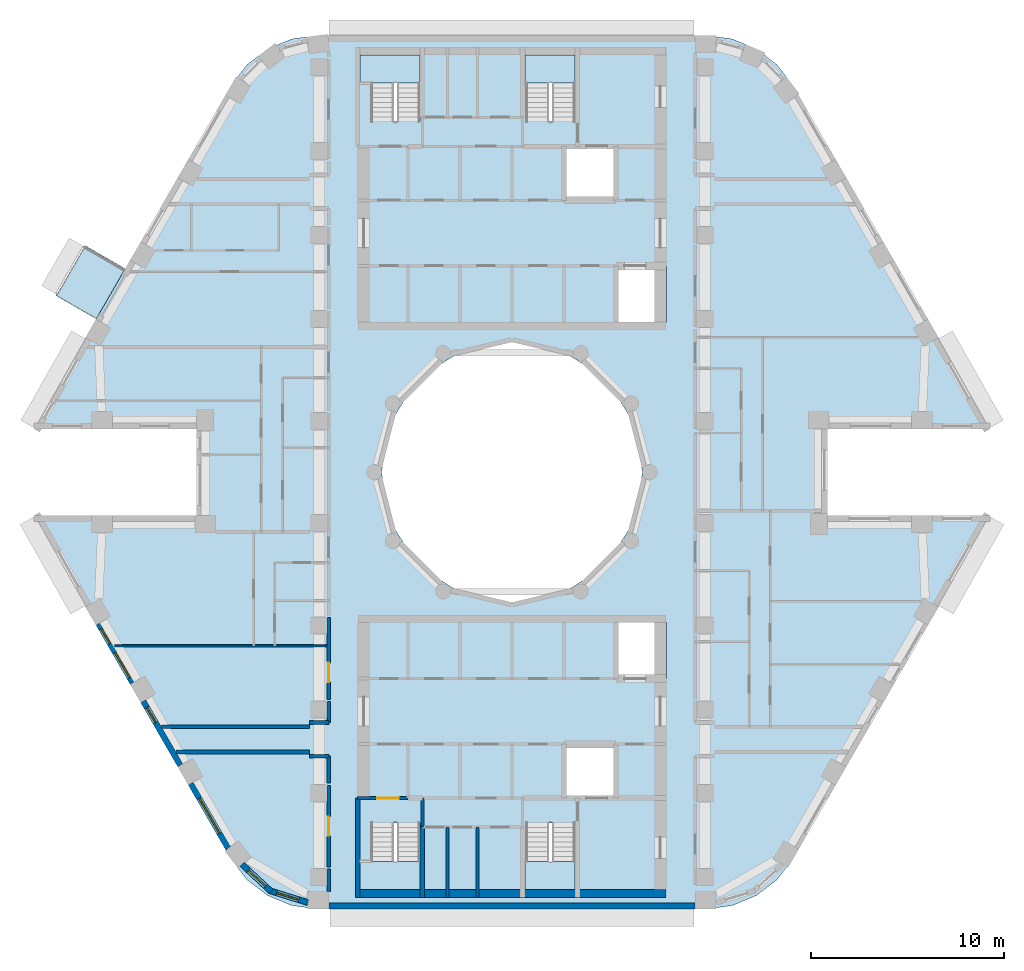
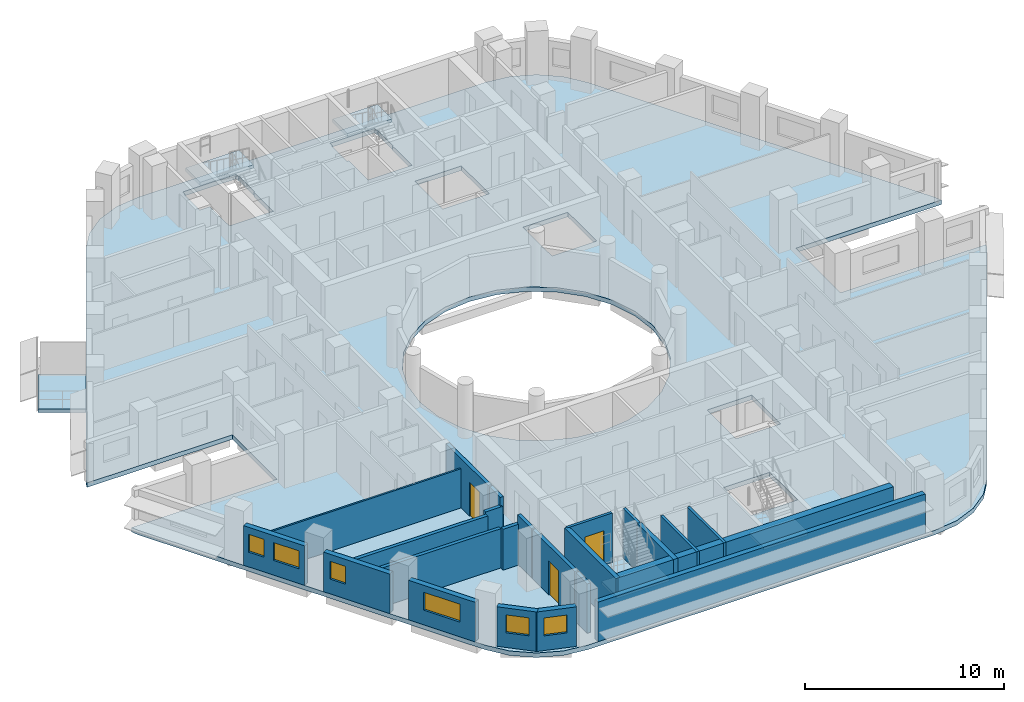
# One storey, part 2 of 13: 23 walls, 6 slabs, 6 windows, 3 doors, 9 openings, 4 elements without a shape of their own.
"""IFC4 building model written with IfcOpenShell, lengths in metres."""

import ifcopenshell
import ifcopenshell.guid

model = None  # the IFC model being written
_history = None  # IfcOwnerHistory: only IFC2X3 demands one
_inside = {}  # id of a spatial element -> (the spatial element, [elements in it])
_under = {}  # id of a project, library or spatial element -> (it, [spatial elements below it])
_declared = {}  # id of a project -> (the project, [libraries it declares])
_typed = {}  # id of a type object -> (the type object, [elements of that type])
_made_of = {}  # id of a material, layer set ... -> (it, [elements and type objects made of it])


def new_model(schema):
    """Start an empty IFC model of exactly this schema.

    Asked for "IFC4X3", IfcOpenShell would pick the latest addendum, in which some entities
    have other attributes; the version numbers below select the first issue.
    IFC2X3 requires an IfcOwnerHistory on every rooted entity: one is made here for all.
    """
    global model, _history
    if schema == "IFC4X3":
        model = ifcopenshell.file(schema_version=(4, 3, 0, 0))
    else:
        model = ifcopenshell.file(schema=schema)
    _inside.clear()
    _under.clear()
    _declared.clear()
    _typed.clear()
    _made_of.clear()
    _history = None
    if model.schema == "IFC2X3":
        org = make("IfcOrganization", Name="unknown")
        user = make(
            "IfcPersonAndOrganization",
            ThePerson=make("IfcPerson", FamilyName="unknown"),
            TheOrganization=org,
        )
        app = make(
            "IfcApplication",
            ApplicationDeveloper=org,
            Version="unknown",
            ApplicationFullName="unknown",
            ApplicationIdentifier="unknown",
        )
        _history = make(
            "IfcOwnerHistory",
            OwningUser=user,
            OwningApplication=app,
            ChangeAction="ADDED",
            CreationDate=0,
        )
    return model


def make(cls, **values):
    """One entity of the class cls with the attributes given. An attribute that is None is left unset."""
    return model.create_entity(
        cls, **{name: value for name, value in values.items() if value is not None}
    )


def rooted(cls, **values):
    """An entity with a GlobalId (a new one), such as an element, a storey or a relation."""
    return make(cls, GlobalId=ifcopenshell.guid.new(), OwnerHistory=_history, **values)


def si_unit(unit_type, name, prefix=None):
    """IfcSIUnit, for example si_unit("LENGTHUNIT", "METRE", prefix="MILLI")."""
    return make("IfcSIUnit", UnitType=unit_type, Prefix=prefix, Name=name)


def assignment(units):
    """IfcUnitAssignment: the units of a project."""
    return None if units is None else make("IfcUnitAssignment", Units=units)


def point(xyz):
    """IfcCartesianPoint."""
    return None if xyz is None else make("IfcCartesianPoint", Coordinates=xyz)


def direction(xyz):
    """IfcDirection."""
    return None if xyz is None else make("IfcDirection", DirectionRatios=xyz)


def frame(location, z_axis=None, x_axis=None):
    """IfcAxis2Placement3D, a coordinate frame: its origin and axes. An axis left out is left unset."""
    return make(
        "IfcAxis2Placement3D",
        Location=point(location),
        Axis=direction(z_axis),
        RefDirection=direction(x_axis),
    )


def frame_2d(location, x_axis=None):
    """IfcAxis2Placement2D, a coordinate frame in the plane: its origin and x axis."""
    return make(
        "IfcAxis2Placement2D", Location=point(location), RefDirection=direction(x_axis)
    )


def origin():
    """The frame at (0, 0, 0) with its axes left unset."""
    return frame((0.0, 0.0, 0.0))


def place(relative_to, where):
    """IfcLocalPlacement: puts the frame where relative to a parent placement (None: the world)."""
    return make(
        "IfcLocalPlacement", PlacementRelTo=relative_to, RelativePlacement=where
    )


def context(
    kind, dimensions, precision=None, world=None, true_north=None, identifier=None
):
    """IfcGeometricRepresentationContext, for example the 3D "Model" context."""
    return make(
        "IfcGeometricRepresentationContext",
        ContextIdentifier=identifier,
        ContextType=kind,
        CoordinateSpaceDimension=dimensions,
        Precision=precision,
        WorldCoordinateSystem=world,
        TrueNorth=true_north,
    )


def subcontext(parent, identifier, kind, view, scale=None):
    """IfcGeometricRepresentationSubContext, for example "Body" below "Model"."""
    return make(
        "IfcGeometricRepresentationSubContext",
        ContextIdentifier=identifier,
        ContextType=kind,
        ParentContext=parent,
        TargetScale=scale,
        TargetView=view,
    )


def project(units=None, contexts=None):
    """IfcProject with its units and contexts."""
    return rooted(
        "IfcProject",
        Name="project",
        RepresentationContexts=contexts,
        UnitsInContext=assignment(units),
    )


def spatial(cls, under=None, at=None, **own):
    """A site, building, storey or space (cls), placed at a placement, below another one or the project."""
    s = rooted(cls, ObjectPlacement=at, **own)
    if under is not None:
        _under.setdefault(under.id(), (under, []))[1].append(s)
    return s


def polyline(points):
    """IfcPolyline through the points."""
    return make("IfcPolyline", Points=[point(p) for p in points])


def profile(cls, at=None, kind="AREA", **sizes):
    """A parametric profile (cls). Its sizes go by their IFC names, for example OverallWidth=200.0."""
    return make(cls, ProfileType=kind, Position=at, **sizes)


def rectangle(**sizes):
    """IfcRectangleProfileDef."""
    return profile("IfcRectangleProfileDef", **sizes)


def outline(outer, holes=None, kind="AREA"):
    """IfcArbitraryClosedProfileDef: a profile drawn as a closed curve; with holes, ...WithVoids."""
    if holes is None:
        return make("IfcArbitraryClosedProfileDef", ProfileType=kind, OuterCurve=outer)
    return make(
        "IfcArbitraryProfileDefWithVoids",
        ProfileType=kind,
        OuterCurve=outer,
        InnerCurves=holes,
    )


def extrude(swept, where, along, depth):
    """IfcExtrudedAreaSolid: the profile swept, set in the frame where, extruded along a direction by depth."""
    return make(
        "IfcExtrudedAreaSolid",
        SweptArea=swept,
        Position=where,
        ExtrudedDirection=direction(along),
        Depth=depth,
    )


def shape(context_of_items, identifier, shape_type, items):
    """IfcShapeRepresentation: the items that make up one representation, for example the "Body"."""
    return make(
        "IfcShapeRepresentation",
        ContextOfItems=context_of_items,
        RepresentationIdentifier=identifier,
        RepresentationType=shape_type,
        Items=items,
    )


def material(Name=None, Category=None):
    """IfcMaterial."""
    return make("IfcMaterial", Name=Name, Category=Category)


def layer(
    of_material, thickness, ventilated=None, Name=None, Category=None, Priority=None
):
    """IfcMaterialLayer: one layer of a wall or slab, of a material (None: an air gap)."""
    return make(
        "IfcMaterialLayer",
        Material=of_material,
        LayerThickness=thickness,
        IsVentilated=ventilated,
        Name=Name,
        Category=Category,
        Priority=Priority,
    )


def layer_set(layers, Name=None):
    """IfcMaterialLayerSet."""
    return make("IfcMaterialLayerSet", MaterialLayers=layers, LayerSetName=Name)


def made_of(thing, what):
    """Note that an element or type object is made of a material, layer set ...; save() writes the relation."""
    if what is not None:
        _made_of.setdefault(what.id(), (what, []))[1].append(thing)
    return thing


def type_object(cls, material=None, **own):
    """A type object (cls), such as IfcWallType, which elements share."""
    return made_of(rooted(cls, **own), material)


def element(
    cls,
    number,
    at=None,
    inside=None,
    cuts=None,
    type_object=None,
    material=None,
    context=None,
    identifier="Body",
    shape_type=None,
    held_by="IfcProductDefinitionShape",
    body=None,
    shapes=None,
    **own,
):
    """One element of the class cls, such as IfcWall. Its Tag is "e" and its number.

    at: its placement. inside: the storey or other place that contains it. cuts: it is an
    opening in that element (IfcRelVoidsElement). A single representation is given by context,
    identifier, shape_type and body (its items); several are given by shapes. held_by: the class
    of the entity that holds the representations. save() writes the other relations.
    """
    e = rooted(cls, Tag="e%d" % number, ObjectPlacement=at, **own)
    if body is not None:
        shapes = [shape(context, identifier, shape_type, body)]
    if shapes is not None:
        e.Representation = make(held_by, Representations=shapes)
    if inside is not None:
        _inside.setdefault(inside.id(), (inside, []))[1].append(e)
    if cuts is not None:
        rooted(
            "IfcRelVoidsElement", RelatingBuildingElement=cuts, RelatedOpeningElement=e
        )
    if type_object is not None:
        _typed.setdefault(type_object.id(), (type_object, []))[1].append(e)
    return made_of(e, material)


def fill(opening, filler):
    """IfcRelFillsElement: the door or window that sits in an opening."""
    return rooted(
        "IfcRelFillsElement",
        RelatingOpeningElement=opening,
        RelatedBuildingElement=filler,
    )


def aggregate(whole, parts):
    """IfcRelAggregates: a whole, such as a stair, and the parts it consists of."""
    return rooted("IfcRelAggregates", RelatingObject=whole, RelatedObjects=parts)


def save(model, path):
    """Write the relations noted so far, then the file.

    IfcRelAggregates (storeys below a building ...), IfcRelContainedInSpatialStructure (elements
    in a storey), IfcRelDefinesByType, IfcRelAssociatesMaterial and IfcRelDeclares: one each for
    every whole, place, type object, material and project.
    """
    for whole, parts in _under.values():
        aggregate(whole, parts)
    for where, things in _inside.values():
        rooted(
            "IfcRelContainedInSpatialStructure",
            RelatedElements=things,
            RelatingStructure=where,
        )
    for kind, things in _typed.values():
        rooted("IfcRelDefinesByType", RelatedObjects=things, RelatingType=kind)
    for what, things in _made_of.values():
        rooted("IfcRelAssociatesMaterial", RelatedObjects=things, RelatingMaterial=what)
    for by, libraries in _declared.values():
        rooted("IfcRelDeclares", RelatingContext=by, RelatedDefinitions=libraries)
    model.write(path)


model = new_model("IFC4")

# Units and contexts
model_context = context("Model", 3, precision=1e-05, world=origin(), true_north=direction((0.0, 1.0)))
body_context = subcontext(model_context, "Body", "Model", "MODEL_VIEW")
ifc_project = project(units=[si_unit("LENGTHUNIT", "METRE"), si_unit("AREAUNIT", "SQUARE_METRE"), si_unit("VOLUMEUNIT", "CUBIC_METRE"), si_unit("PLANEANGLEUNIT", "RADIAN"), si_unit("MASSUNIT", "GRAM", prefix="KILO")], contexts=[model_context])

# Site, building, storey
site_placement = place(None, origin())
site = spatial("IfcSite", under=ifc_project, at=site_placement, CompositionType="ELEMENT")
building_placement = place(site_placement, origin())
building = spatial("IfcBuilding", under=site, at=building_placement, Name="Nakaniwa Court", CompositionType="ELEMENT")
storey_placement = place(building_placement, frame((0.0, 0.0, 239.39990234375)))
storey = spatial("IfcBuildingStorey", under=building, at=storey_placement, Name="L62", CompositionType="ELEMENT", Elevation=239.39990234375)

# Slabs
ifc_material_1 = material(Name="Charcoal ceramic paver")
ifc_layer_1 = layer(ifc_material_1, 0.02, Name="Ceramic paver")
ifc_material_2 = material(Name="Cement sand screed")
ifc_layer_2 = layer(ifc_material_2, 0.03, Name="Falls screed")
ifc_material_3 = material(Name="Concrete C40/50", Category="concrete")
ifc_layer_3 = layer(ifc_material_3, 0.15, Name="Balcony slab")
ifc_layer_set_1 = layer_set([ifc_layer_1, ifc_layer_2, ifc_layer_3], Name="Concrete C40/50 balcony slab with ceramic paver finish")
slab_type_1 = type_object("IfcSlabType", Name="Balcony slab 200", PredefinedType="FLOOR", material=ifc_layer_set_1)
slab_1_placement = place(storey_placement, frame((0.0, 0.0, -0.25)))
element("IfcSlab", 1, at=slab_1_placement, inside=storey, type_object=slab_type_1, Name="L62 balcony 01", PredefinedType="FLOOR", context=body_context, shape_type="SweptSolid", body=[
    extrude(outline(polyline([(59.94287109375, 90.56005859375), (58.436279296875, 87.95068359375), (56.35791015625, 89.15087890625), (57.864501953125, 91.760009765625), (59.94287109375, 90.56005859375)])), origin(), (0.0, 0.0, 1.0), 0.2001953125),
])
ifc_material_4 = material(Name="Concrete C80/100", Category="concrete")
ifc_layer_4 = layer(ifc_material_4, 0.27490234375)
ifc_layer_set_2 = layer_set([ifc_layer_4], Name="Concrete C80/100")
slab_type_2 = type_object("IfcSlabType", Name="Concrete C80/100 post tensioned floor slab 275", PredefinedType="FLOOR", material=ifc_layer_set_2)
slab_2_placement = place(storey_placement, frame((0.0, 0.0, -0.27490234375)))
element("IfcSlab", 2, at=slab_2_placement, inside=storey, type_object=slab_type_2, Name="FLOOR SLAB", PredefinedType="FLOOR", context=body_context, shape_type="SweptSolid", body=[
    extrude(outline(polyline([(96.349609375, 82.25), (104.7978515625, 82.25), (104.65283203125, 82.60009765625), (94.578125, 100.050048828125), (93.751708984375, 101.126953125), (92.6748046875, 101.953369140625), (91.420654296875, 102.472900390625), (90.07470703125, 102.64990234375), (69.92529296875, 102.64990234375), (68.579345703125, 102.472900390625), (67.3251953125, 101.953369140625), (66.248291015625, 101.126953125), (65.421875, 100.050048828125), (55.34716796875, 82.60009765625), (55.2021484375, 82.25), (63.650390625, 82.25), (63.650390625, 77.75), (55.2021484375, 77.75), (55.34716796875, 77.39990234375), (65.421875, 59.949951171875), (66.248291015625, 58.873046875), (67.3251953125, 58.046630859375), (68.579345703125, 57.527099609375), (69.92529296875, 57.35009765625), (90.07470703125, 57.35009765625), (91.420654296875, 57.527099609375), (92.6748046875, 58.046630859375), (93.751708984375, 58.873046875), (94.578125, 59.949951171875), (104.65283203125, 77.39990234375), (104.7978515625, 77.75), (96.349609375, 77.75), (96.349609375, 82.25)]), holes=[polyline([(81.501953125, 86.580810546875), (80.0, 86.75), (78.498046875, 86.580810546875), (77.0712890625, 86.08154296875), (75.79150390625, 85.27734375), (74.72265625, 84.20849609375), (73.91845703125, 82.9287109375), (73.419189453125, 81.501953125), (73.25, 80.0), (73.419189453125, 78.498046875), (73.91845703125, 77.0712890625), (74.72265625, 75.79150390625), (75.79150390625, 74.72265625), (77.0712890625, 73.91845703125), (78.498046875, 73.419189453125), (80.0, 73.25), (81.501953125, 73.419189453125), (82.9287109375, 73.91845703125), (84.20849609375, 74.72265625), (85.27734375, 75.79150390625), (86.08154296875, 77.0712890625), (86.580810546875, 78.498046875), (86.75, 80.0), (86.580810546875, 81.501953125), (86.08154296875, 82.9287109375), (85.27734375, 84.20849609375), (84.20849609375, 85.27734375), (82.9287109375, 86.08154296875), (81.501953125, 86.580810546875)]), polyline([(72.675048828125, 61.81005859375), (72.675048828125, 59.864990234375), (72.0849609375, 59.864990234375), (72.0849609375, 58.31005859375), (72.125, 58.31005859375), (72.125, 58.074951171875), (75.22509765625, 58.074951171875), (75.22509765625, 58.31005859375), (75.264892578125, 58.31005859375), (75.264892578125, 59.864990234375), (75.22509765625, 59.864990234375), (75.22509765625, 61.81005859375), (72.675048828125, 61.81005859375)]), polyline([(83.27490234375, 61.81005859375), (80.72509765625, 61.81005859375), (80.72509765625, 59.864990234375), (80.635009765625, 59.864990234375), (80.635009765625, 58.31005859375), (80.675048828125, 58.31005859375), (80.675048828125, 58.074951171875), (83.27490234375, 58.074951171875), (83.27490234375, 58.31005859375), (83.31494140625, 58.31005859375), (83.31494140625, 59.864990234375), (83.27490234375, 59.864990234375), (83.27490234375, 61.81005859375)]), polyline([(75.264892578125, 101.68994140625), (75.22509765625, 101.68994140625), (75.22509765625, 101.925048828125), (72.125, 101.925048828125), (72.125, 101.68994140625), (72.0849609375, 101.68994140625), (72.0849609375, 100.135009765625), (72.675048828125, 100.135009765625), (72.675048828125, 98.18994140625), (75.22509765625, 98.18994140625), (75.22509765625, 100.135009765625), (75.264892578125, 100.135009765625), (75.264892578125, 101.68994140625)]), polyline([(83.31494140625, 100.135009765625), (83.31494140625, 101.68994140625), (83.27490234375, 101.68994140625), (83.27490234375, 101.925048828125), (80.675048828125, 101.925048828125), (80.675048828125, 101.68994140625), (80.635009765625, 101.68994140625), (80.635009765625, 100.135009765625), (80.72509765625, 100.135009765625), (80.72509765625, 98.18994140625), (83.27490234375, 98.18994140625), (83.27490234375, 100.135009765625), (83.31494140625, 100.135009765625)]), polyline([(85.39990234375, 65.89990234375), (82.699951171875, 65.89990234375), (82.699951171875, 63.10009765625), (85.39990234375, 63.10009765625), (85.39990234375, 65.89990234375)]), polyline([(88.0, 72.199951171875), (85.39990234375, 72.199951171875), (85.39990234375, 69.300048828125), (88.0, 69.300048828125), (88.0, 72.199951171875)]), polyline([(85.39990234375, 90.699951171875), (85.39990234375, 87.800048828125), (88.0, 87.800048828125), (88.0, 90.699951171875), (85.39990234375, 90.699951171875)]), polyline([(85.39990234375, 96.89990234375), (82.699951171875, 96.89990234375), (82.699951171875, 94.10009765625), (85.39990234375, 94.10009765625), (85.39990234375, 96.89990234375)])]), origin(), (0.0, 0.0, 1.0), 0.27490234375),
])

# Stair, slab
stair_type = type_object("IfcStairType", Name="Dog leg stair 1200 wide 18 risers", PredefinedType="HALF_TURN_STAIR", material=ifc_material_4)
stair_1_placement = place(storey_placement, origin())
stair_1 = element("IfcStair", 3, at=stair_1_placement, inside=storey, type_object=stair_type, Name="L62 Stair ST1", PredefinedType="HALF_TURN_STAIR")
ifc_layer_5 = layer(ifc_material_4, 0.199951171875)
ifc_layer_set_3 = layer_set([ifc_layer_5], Name="Concrete C80/100")
slab_type_3 = type_object("IfcSlabType", Name="Stair landing concrete", PredefinedType="LANDING", material=ifc_layer_set_3)
slab_3_placement = place(storey_placement, frame((0.0, 0.0, 1.4501953125)))
slab_3 = element("IfcSlab", 4, at=slab_3_placement, type_object=slab_type_3, Name="ST1 landing 1", PredefinedType="LANDING", context=body_context, shape_type="SweptSolid", body=[
    extrude(outline(polyline([(75.22509765625, 100.175048828125), (75.22509765625, 101.64990234375), (72.125, 101.64990234375), (72.125, 100.175048828125), (75.22509765625, 100.175048828125)])), origin(), (0.0, 0.0, 1.0), 0.199951171875),
])
aggregate(stair_1, [slab_3])

stair_2_placement = place(storey_placement, origin())
stair_2 = element("IfcStair", 5, at=stair_2_placement, inside=storey, type_object=stair_type, Name="L62 Stair ST2", PredefinedType="HALF_TURN_STAIR")
slab_4_placement = place(storey_placement, frame((0.0, 0.0, 1.4501953125)))
slab_4 = element("IfcSlab", 6, at=slab_4_placement, type_object=slab_type_3, Name="ST2 landing 1", PredefinedType="LANDING", context=body_context, shape_type="SweptSolid", body=[
    extrude(outline(polyline([(83.27490234375, 100.175048828125), (83.27490234375, 101.64990234375), (80.675048828125, 101.64990234375), (80.675048828125, 100.175048828125), (83.27490234375, 100.175048828125)])), origin(), (0.0, 0.0, 1.0), 0.199951171875),
])
aggregate(stair_2, [slab_4])

stair_3_placement = place(storey_placement, origin())
stair_3 = element("IfcStair", 7, at=stair_3_placement, inside=storey, type_object=stair_type, Name="L62 Stair ST3", PredefinedType="HALF_TURN_STAIR")
slab_5_placement = place(storey_placement, frame((0.0, 0.0, 1.4501953125)))
slab_5 = element("IfcSlab", 8, at=slab_5_placement, type_object=slab_type_3, Name="ST3 landing 1", PredefinedType="LANDING", context=body_context, shape_type="SweptSolid", body=[
    extrude(outline(polyline([(75.22509765625, 58.35009765625), (75.22509765625, 59.824951171875), (72.125, 59.824951171875), (72.125, 58.35009765625), (75.22509765625, 58.35009765625)])), origin(), (0.0, 0.0, 1.0), 0.199951171875),
])
aggregate(stair_3, [slab_5])

stair_4_placement = place(storey_placement, origin())
stair_4 = element("IfcStair", 9, at=stair_4_placement, inside=storey, type_object=stair_type, Name="L62 Stair ST4", PredefinedType="HALF_TURN_STAIR")
slab_6_placement = place(storey_placement, frame((0.0, 0.0, 1.4501953125)))
slab_6 = element("IfcSlab", 10, at=slab_6_placement, type_object=slab_type_3, Name="ST4 landing 1", PredefinedType="LANDING", context=body_context, shape_type="SweptSolid", body=[
    extrude(outline(polyline([(83.27490234375, 58.35009765625), (83.27490234375, 59.824951171875), (80.675048828125, 59.824951171875), (80.675048828125, 58.35009765625), (83.27490234375, 58.35009765625)])), origin(), (0.0, 0.0, 1.0), 0.199951171875),
])
aggregate(stair_4, [slab_6])

# Walls
ifc_material_5 = material(Name="Acoustic double stud partition")
ifc_layer_6 = layer(ifc_material_5, 0.199951171875)
ifc_layer_set_4 = layer_set([ifc_layer_6], Name="Acoustic double stud partition")
wall_type_1 = type_object("IfcWallType", Name="Acoustic double stud partition 200", PredefinedType="PARTITIONING", material=ifc_layer_set_4)
wall_1_placement = place(storey_placement, frame((62.56396484375, 65.5, 0.0), z_axis=(0.0, 0.0, 1.0), x_axis=(1.0, 0.0, 0.0)))
element("IfcWall", 11, at=wall_1_placement, inside=storey, type_object=wall_type_1, Name="Partition PW-081", PredefinedType="PARTITIONING", context=body_context, shape_type="SweptSolid", body=[
    extrude(rectangle(XDim=6.93603515625, YDim=0.199951171875, at=frame_2d((3.468017578125, 0.0))), origin(), (0.0, 0.0, 1.0), 2.405029296875),
])
for number, where, z_axis, x_axis, name in (
    (12, (69.5, 65.27490234375, 0.0), (0.0, 0.0, 1.0), (1.0, 0.0, 0.0), "Partition PW-083"),
    (13, (69.5, 67.02490234375, 0.0), (0.0, 0.0, 1.0), (1.0, 0.0, 0.0), "Partition PW-085"),
):
    element("IfcWall", number, at=place(storey_placement, frame(where, z_axis=z_axis, x_axis=x_axis)), inside=storey, type_object=wall_type_1, Name=name, PredefinedType="PARTITIONING", context=body_context, shape_type="SweptSolid", body=[
        extrude(rectangle(XDim=1.0, YDim=0.199951171875, at=frame_2d((0.5, 0.0))), origin(), (0.0, 0.0, 1.0), 2.505126953125),
    ])
wall_2_placement = place(storey_placement, frame((61.8134765625, 66.800048828125, 0.0), z_axis=(0.0, 0.0, 1.0), x_axis=(1.0, 0.0, 0.0)))
element("IfcWall", 14, at=wall_2_placement, inside=storey, type_object=wall_type_1, Name="Partition PW-087", PredefinedType="PARTITIONING", context=body_context, shape_type="SweptSolid", body=[
    extrude(rectangle(XDim=7.6865234375, YDim=0.199951171875, at=frame_2d((3.84326171875, 0.0))), origin(), (0.0, 0.0, 1.0), 2.405029296875),
])
wall_3_placement = place(storey_placement, frame((70.5, 58.26708984375, 0.0), z_axis=(0.0, 0.0, 1.0), x_axis=(0.0, 1.0, 0.0)))
element("IfcWall", 15, at=wall_3_placement, inside=storey, type_object=wall_type_1, Name="Partition PW-089", PredefinedType="PARTITIONING", context=body_context, shape_type="SweptSolid", body=[
    extrude(rectangle(XDim=1.14599609375, YDim=0.199951171875, at=frame_2d((0.572998046875, 0.0))), origin(), (0.0, 0.0, 1.0), 3.025146484375),
])

# Wall, opening, door
wall_4_placement = place(storey_placement, frame((70.5, 59.527099609375, 0.0), z_axis=(0.0, 0.0, 1.0), x_axis=(0.0, 1.0, 0.0)))
wall_4 = element("IfcWall", 16, at=wall_4_placement, inside=storey, type_object=wall_type_1, Name="Partition PW-090", PredefinedType="PARTITIONING", context=body_context, shape_type="SweptSolid", body=[
    extrude(rectangle(XDim=4.23583984375, YDim=0.199951171875, at=frame_2d((2.117919921875, 0.0))), origin(), (0.0, 0.0, 1.0), 3.025146484375),
])
opening_1_placement = place(wall_4_placement, frame((1.617919921875, 0.0, 0.0)))
opening_1 = element("IfcOpeningElement", 17, at=opening_1_placement, cuts=wall_4, Name="Opening D-02-04", PredefinedType="OPENING", context=body_context, shape_type="SweptSolid", body=[
    extrude(rectangle(XDim=1.0, YDim=2.10009765625, at=frame_2d((0.5, 1.050048828125))), frame((0.0, 0.10986328125, 0.0), z_axis=(0.0, -1.0, 0.0), x_axis=(1.0, 0.0, 0.0)), (0.0, 0.0, 1.0), 0.219970703125),
])
ifc_material_6 = material(Name="Solid core timber door set, black veneer", Category="wood")
door_type_1 = type_object("IfcDoorType", Name="Internal door 1000", OperationType="NOTDEFINED", PredefinedType="DOOR", material=ifc_material_6)
door_1_placement = place(opening_1_placement, origin())
door_1 = element("IfcDoor", 18, at=door_1_placement, inside=storey, type_object=door_type_1, Name="Door D-02-04 L62-060", OperationType="SINGLE_SWING_LEFT", OverallHeight=2.10009765625, OverallWidth=1.0, PredefinedType="DOOR", context=body_context, shape_type="SweptSolid", body=[
    extrude(rectangle(XDim=1.0, YDim=2.10009765625, at=frame_2d((0.5, 1.050048828125))), frame((0.0, 0.02490234375, 0.0), z_axis=(0.0, -1.0, 0.0), x_axis=(1.0, 0.0, 0.0)), (0.0, 0.0, 1.0), 0.050048828125),
])
fill(opening_1, door_1)

# Walls
wall_5_placement = place(storey_placement, frame((70.5, 63.876953125, 0.0), z_axis=(0.0, 0.0, 1.0), x_axis=(0.0, 1.0, 0.0)))
element("IfcWall", 19, at=wall_5_placement, inside=storey, type_object=wall_type_1, Name="Partition PW-091", PredefinedType="PARTITIONING", context=body_context, shape_type="SweptSolid", body=[
    extrude(rectangle(XDim=1.401123046875, YDim=0.199951171875, at=frame_2d((0.70068359375, 0.0))), origin(), (0.0, 0.0, 1.0), 3.025146484375),
])
wall_6_placement = place(storey_placement, frame((70.5, 67.02197265625, 0.0), z_axis=(0.0, 0.0, 1.0), x_axis=(0.0, 1.0, 0.0)))
element("IfcWall", 20, at=wall_6_placement, inside=storey, type_object=wall_type_1, Name="Partition PW-092", PredefinedType="PARTITIONING", context=body_context, shape_type="SweptSolid", body=[
    extrude(rectangle(XDim=1.091064453125, YDim=0.199951171875, at=frame_2d((0.54541015625, 0.0))), origin(), (0.0, 0.0, 1.0), 3.025146484375),
])

# Wall, opening, door
wall_7_placement = place(storey_placement, frame((70.5, 68.22705078125, 0.0), z_axis=(0.0, 0.0, 1.0), x_axis=(0.0, 1.0, 0.0)))
wall_7 = element("IfcWall", 21, at=wall_7_placement, inside=storey, type_object=wall_type_1, Name="Partition PW-093", PredefinedType="PARTITIONING", context=body_context, shape_type="SweptSolid", body=[
    extrude(rectangle(XDim=4.23583984375, YDim=0.199951171875, at=frame_2d((2.117919921875, 0.0))), origin(), (0.0, 0.0, 1.0), 3.025146484375),
])
opening_2_placement = place(wall_7_placement, frame((0.887939453125, 0.0, 0.0)))
opening_2 = element("IfcOpeningElement", 22, at=opening_2_placement, cuts=wall_7, Name="Opening D-02-05", PredefinedType="OPENING", context=body_context, shape_type="SweptSolid", body=[
    extrude(rectangle(XDim=1.0, YDim=2.10009765625, at=frame_2d((0.5, 1.050048828125))), frame((0.0, 0.10986328125, 0.0), z_axis=(0.0, -1.0, 0.0), x_axis=(1.0, 0.0, 0.0)), (0.0, 0.0, 1.0), 0.219970703125),
])
door_2_placement = place(opening_2_placement, origin())
door_2 = element("IfcDoor", 23, at=door_2_placement, inside=storey, type_object=door_type_1, Name="Door D-02-05 L62-061", OperationType="SINGLE_SWING_RIGHT", OverallHeight=2.10009765625, OverallWidth=1.0, PredefinedType="DOOR", context=body_context, shape_type="SweptSolid", body=[
    extrude(rectangle(XDim=1.0, YDim=2.10009765625, at=frame_2d((0.5, 1.050048828125))), frame((0.0, 0.02490234375, 0.0), z_axis=(0.0, -1.0, 0.0), x_axis=(1.0, 0.0, 0.0)), (0.0, 0.0, 1.0), 0.050048828125),
])
fill(opening_2, door_2)

# Wall, openings, windows
ifc_material_7 = material(Name="Charcoal ceramic cladding")
ifc_layer_7 = layer(ifc_material_7, 0.02, Name="Ceramic cladding")
ifc_material_8 = material(Name="Ventilated air cavity")
ifc_layer_8 = layer(ifc_material_8, 0.04, ventilated=True, Name="Ventilated cavity")
ifc_material_9 = material(Name="Mineral wool insulation")
ifc_layer_9 = layer(ifc_material_9, 0.1, Name="Insulation")
ifc_material_10 = material(Name="Cement bonded sheathing board")
ifc_layer_10 = layer(ifc_material_10, 0.012, Name="Sheathing")
ifc_material_11 = material(Name="Cold-formed galvanised stud frame with mineral wool infill")
ifc_layer_11 = layer(ifc_material_11, 0.1, Name="Stud frame")
ifc_material_12 = material(Name="Fire-rated gypsum plasterboard lining")
ifc_layer_12 = layer(ifc_material_12, 0.028, Name="Lining")
ifc_layer_set_5 = layer_set([ifc_layer_7, ifc_layer_8, ifc_layer_9, ifc_layer_10, ifc_layer_11, ifc_layer_12], Name="Charcoal ceramic faced external wall system")
wall_type_2 = type_object("IfcWallType", Name="Black ceramic faced external wall 300", PredefinedType="SOLIDWALL", material=ifc_layer_set_5)
wall_8_placement = place(storey_placement, frame((58.55419921875, 72.14501953125, 0.0), z_axis=(0.0, 0.0, 1.0), x_axis=(0.500010404316, -0.866019396766, 0.0)))
wall_8 = element("IfcWall", 24, at=wall_8_placement, inside=storey, type_object=wall_type_2, Name="L62 external wall 21", PredefinedType="SOLIDWALL", context=body_context, shape_type="SweptSolid", body=[
    extrude(rectangle(XDim=3.54736328125, YDim=0.300048828125, at=frame_2d((1.773681640625, 0.0))), origin(), (0.0, 0.0, 1.0), 2.425048828125),
])
opening_3_placement = place(wall_8_placement, frame((0.28515625, 0.0, 0.89990234375)))
opening_3 = element("IfcOpeningElement", 25, at=opening_3_placement, cuts=wall_8, Name="Opening W9.20", PredefinedType="OPENING", context=body_context, shape_type="SweptSolid", body=[
    extrude(rectangle(XDim=0.89990234375, YDim=1.10009765625, at=frame_2d((0.449951171875, 0.550048828125))), frame((0.0, 0.159912109375, 0.0), z_axis=(0.0, -1.0, 0.0), x_axis=(1.0, 0.0, 0.0)), (0.0, 0.0, 1.0), 0.320068359375),
])
opening_4_placement = place(wall_8_placement, frame((1.7216796875, 0.0, 0.89990234375)))
opening_4 = element("IfcOpeningElement", 26, at=opening_4_placement, cuts=wall_8, Name="Opening W5.21", PredefinedType="OPENING", context=body_context, shape_type="SweptSolid", body=[
    extrude(rectangle(XDim=1.5, YDim=1.10009765625, at=frame_2d((0.75, 0.550048828125))), frame((0.0, 0.159912109375, 0.0), z_axis=(0.0, -1.0, 0.0), x_axis=(1.0, 0.0, 0.0)), (0.0, 0.0, 1.0), 0.320068359375),
])
ifc_material_13 = material(Name="Black anodised aluminium frame with dark low-E laminated double glazing", Category="aluminium")
window_type_1 = type_object("IfcWindowType", Name="Dark glass window 1500x1100 sill 900", PartitioningType="SINGLE_PANEL", PredefinedType="WINDOW", material=ifc_material_13)
window_1_placement = place(opening_4_placement, origin())
window_1 = element("IfcWindow", 27, at=window_1_placement, inside=storey, type_object=window_type_1, Name="L62 habitable room window 21-1", OverallHeight=1.10009765625, OverallWidth=1.5, PartitioningType="SINGLE_PANEL", PredefinedType="WINDOW", context=body_context, shape_type="SweptSolid", body=[
    extrude(rectangle(XDim=1.5, YDim=1.10009765625, at=frame_2d((0.75, 0.550048828125))), frame((0.0, 0.030029296875, 0.0), z_axis=(0.0, -1.0, 0.0), x_axis=(1.0, 0.0, 0.0)), (0.0, 0.0, 1.0), 0.06005859375),
])
fill(opening_4, window_1)
window_type_2 = type_object("IfcWindowType", Name="Dark glass window 900x1100 sill 900", PartitioningType="SINGLE_PANEL", PredefinedType="WINDOW", material=ifc_material_13)
window_2_placement = place(opening_3_placement, origin())
window_2 = element("IfcWindow", 28, at=window_2_placement, inside=storey, type_object=window_type_2, Name="L62 living window 21-0", OverallHeight=1.10009765625, OverallWidth=0.89990234375, PartitioningType="SINGLE_PANEL", PredefinedType="WINDOW", context=body_context, shape_type="SweptSolid", body=[
    extrude(rectangle(XDim=0.89990234375, YDim=1.10009765625, at=frame_2d((0.449951171875, 0.550048828125))), frame((0.0, 0.030029296875, 0.0), z_axis=(0.0, -1.0, 0.0), x_axis=(1.0, 0.0, 0.0)), (0.0, 0.0, 1.0), 0.06005859375),
])
fill(opening_3, window_2)

# Wall, opening, window
wall_9_placement = place(storey_placement, frame((60.873779296875, 68.12744140625, 0.0), z_axis=(0.0, 0.0, 1.0), x_axis=(0.499984490703, -0.866034357896, 0.0)))
wall_9 = element("IfcWall", 29, at=wall_9_placement, inside=storey, type_object=wall_type_2, Name="L62 external wall 22", PredefinedType="SOLIDWALL", context=body_context, shape_type="SweptSolid", body=[
    extrude(rectangle(XDim=3.84423828125, YDim=0.300048828125, at=frame_2d((1.922119140625, 0.0))), origin(), (0.0, 0.0, 1.0), 2.425048828125),
])
opening_5_placement = place(wall_9_placement, frame((0.37744140625, 0.0, 0.89990234375)))
opening_5 = element("IfcOpeningElement", 30, at=opening_5_placement, cuts=wall_9, Name="Opening W9.22", PredefinedType="OPENING", context=body_context, shape_type="SweptSolid", body=[
    extrude(rectangle(XDim=0.89990234375, YDim=1.10009765625, at=frame_2d((0.449951171875, 0.550048828125))), frame((0.0, 0.159912109375, 0.0), z_axis=(0.0, -1.0, 0.0), x_axis=(1.0, 0.0, 0.0)), (0.0, 0.0, 1.0), 0.320068359375),
])
window_3_placement = place(opening_5_placement, origin())
window_3 = element("IfcWindow", 31, at=window_3_placement, inside=storey, type_object=window_type_2, Name="L62 habitable room window 22-0", OverallHeight=1.10009765625, OverallWidth=0.89990234375, PartitioningType="SINGLE_PANEL", PredefinedType="WINDOW", context=body_context, shape_type="SweptSolid", body=[
    extrude(rectangle(XDim=0.89990234375, YDim=1.10009765625, at=frame_2d((0.449951171875, 0.550048828125))), frame((0.0, 0.030029296875, 0.0), z_axis=(0.0, -1.0, 0.0), x_axis=(1.0, 0.0, 0.0)), (0.0, 0.0, 1.0), 0.06005859375),
])
fill(opening_5, window_3)

wall_10_placement = place(storey_placement, frame((63.342041015625, 63.8525390625, 0.0), z_axis=(0.0, 0.0, 1.0), x_axis=(0.500011218404, -0.866018926739, 0.0)))
wall_10 = element("IfcWall", 32, at=wall_10_placement, inside=storey, type_object=wall_type_2, Name="L62 external wall 23", PredefinedType="SOLIDWALL", context=body_context, shape_type="SweptSolid", body=[
    extrude(rectangle(XDim=3.87890625, YDim=0.300048828125, at=frame_2d((1.939453125, 0.0))), origin(), (0.0, 0.0, 1.0), 2.425048828125),
])
opening_6_placement = place(wall_10_placement, frame((0.878173828125, 0.0, 0.89990234375)))
opening_6 = element("IfcOpeningElement", 33, at=opening_6_placement, cuts=wall_10, Name="Opening W7.23", PredefinedType="OPENING", context=body_context, shape_type="SweptSolid", body=[
    extrude(rectangle(XDim=2.10009765625, YDim=1.10009765625, at=frame_2d((1.050048828125, 0.550048828125))), frame((0.0, 0.159912109375, 0.0), z_axis=(0.0, -1.0, 0.0), x_axis=(1.0, 0.0, 0.0)), (0.0, 0.0, 1.0), 0.320068359375),
])
window_type_3 = type_object("IfcWindowType", Name="Dark glass window 2100x1100 sill 900", PartitioningType="SINGLE_PANEL", PredefinedType="WINDOW", material=ifc_material_13)
window_4_placement = place(opening_6_placement, origin())
window_4 = element("IfcWindow", 34, at=window_4_placement, inside=storey, type_object=window_type_3, Name="L62 habitable room window 23-0", OverallHeight=1.10009765625, OverallWidth=2.10009765625, PartitioningType="SINGLE_PANEL", PredefinedType="WINDOW", context=body_context, shape_type="SweptSolid", body=[
    extrude(rectangle(XDim=2.10009765625, YDim=1.10009765625, at=frame_2d((1.050048828125, 0.550048828125))), frame((0.0, 0.030029296875, 0.0), z_axis=(0.0, -1.0, 0.0), x_axis=(1.0, 0.0, 0.0)), (0.0, 0.0, 1.0), 0.06005859375),
])
fill(opening_6, window_4)

wall_11_placement = place(storey_placement, frame((65.99609375, 59.665283203125, 0.0), z_axis=(0.0, 0.0, 1.0), x_axis=(0.731942518471, -0.6813663843, 0.0)))
wall_11 = element("IfcWall", 35, at=wall_11_placement, inside=storey, type_object=wall_type_2, Name="L62 external wall 24", PredefinedType="SOLIDWALL", context=body_context, shape_type="SweptSolid", body=[
    extrude(rectangle(XDim=2.07568359375, YDim=0.300048828125, at=frame_2d((1.037841796875, 0.0))), origin(), (0.0, 0.0, 1.0), 2.425048828125),
])
opening_7_placement = place(wall_11_placement, frame((0.464111328125, 0.0, 0.89990234375)))
opening_7 = element("IfcOpeningElement", 36, at=opening_7_placement, cuts=wall_11, Name="Opening W6.24", PredefinedType="OPENING", context=body_context, shape_type="SweptSolid", body=[
    extrude(rectangle(XDim=1.199951171875, YDim=1.10009765625, at=frame_2d((0.60009765625, 0.550048828125))), frame((0.0, 0.159912109375, 0.0), z_axis=(0.0, -1.0, 0.0), x_axis=(1.0, 0.0, 0.0)), (0.0, 0.0, 1.0), 0.320068359375),
])
window_type_4 = type_object("IfcWindowType", Name="Dark glass window 1200x1100 sill 900", PartitioningType="SINGLE_PANEL", PredefinedType="WINDOW", material=ifc_material_13)
window_5_placement = place(opening_7_placement, origin())
window_5 = element("IfcWindow", 37, at=window_5_placement, inside=storey, type_object=window_type_4, Name="L62 habitable room window 24-0", OverallHeight=1.10009765625, OverallWidth=1.199951171875, PartitioningType="SINGLE_PANEL", PredefinedType="WINDOW", context=body_context, shape_type="SweptSolid", body=[
    extrude(rectangle(XDim=1.199951171875, YDim=1.10009765625, at=frame_2d((0.60009765625, 0.550048828125))), frame((0.0, 0.030029296875, 0.0), z_axis=(0.0, -1.0, 0.0), x_axis=(1.0, 0.0, 0.0)), (0.0, 0.0, 1.0), 0.06005859375),
])
fill(opening_7, window_5)

wall_12_placement = place(storey_placement, frame((67.406494140625, 58.3076171875, 0.0), z_axis=(0.0, 0.0, 1.0), x_axis=(0.954761314907, -0.297373219301, 0.0)))
wall_12 = element("IfcWall", 38, at=wall_12_placement, inside=storey, type_object=wall_type_2, Name="L62 external wall 25", PredefinedType="SOLIDWALL", context=body_context, shape_type="SweptSolid", body=[
    extrude(rectangle(XDim=2.096923828125, YDim=0.300048828125, at=frame_2d((1.04833984375, 0.0))), origin(), (0.0, 0.0, 1.0), 2.425048828125),
])
opening_8_placement = place(wall_12_placement, frame((0.409423828125, 0.0, 0.89990234375)))
opening_8 = element("IfcOpeningElement", 39, at=opening_8_placement, cuts=wall_12, Name="Opening W6.25", PredefinedType="OPENING", context=body_context, shape_type="SweptSolid", body=[
    extrude(rectangle(XDim=1.199951171875, YDim=1.10009765625, at=frame_2d((0.60009765625, 0.550048828125))), frame((0.0, 0.159912109375, 0.0), z_axis=(0.0, -1.0, 0.0), x_axis=(1.0, 0.0, 0.0)), (0.0, 0.0, 1.0), 0.320068359375),
])
window_6_placement = place(opening_8_placement, origin())
window_6 = element("IfcWindow", 40, at=window_6_placement, inside=storey, type_object=window_type_4, Name="L62 habitable room window 25-0", OverallHeight=1.10009765625, OverallWidth=1.199951171875, PartitioningType="SINGLE_PANEL", PredefinedType="WINDOW", context=body_context, shape_type="SweptSolid", body=[
    extrude(rectangle(XDim=1.199951171875, YDim=1.10009765625, at=frame_2d((0.60009765625, 0.550048828125))), frame((0.0, 0.030029296875, 0.0), z_axis=(0.0, -1.0, 0.0), x_axis=(1.0, 0.0, 0.0)), (0.0, 0.0, 1.0), 0.06005859375),
])
fill(opening_8, window_6)

# Walls
wall_13_placement = place(storey_placement, frame((70.500732421875, 57.5, 0.0), z_axis=(0.0, 0.0, 1.0), x_axis=(1.0, 0.0, 0.0)))
element("IfcWall", 41, at=wall_13_placement, inside=storey, type_object=wall_type_2, Name="L62 external wall 26", PredefinedType="SOLIDWALL", context=body_context, shape_type="SweptSolid", body=[
    extrude(rectangle(XDim=18.99267578125, YDim=0.300048828125, at=frame_2d((9.496337890625, 0.0))), origin(), (0.0, 0.0, 1.0), 2.425048828125),
])
ifc_material_14 = material(Name="Blockwork partition", Category="masonry")
ifc_layer_13 = layer(ifc_material_14, 0.14990234375)
ifc_layer_set_6 = layer_set([ifc_layer_13], Name="Blockwork partition")
wall_type_3 = type_object("IfcWallType", Name="Blockwork partition 150", PredefinedType="PARTITIONING", material=ifc_layer_set_6)
for number, where, z_axis, x_axis, name in (
    (42, (76.64990234375, 57.949951171875, 0.0), (0.0, 0.0, 1.0), (0.0, 1.0, 0.0), "Partition PW-059"),
    (43, (78.2099609375, 57.949951171875, 0.0), (0.0, 0.0, 1.0), (0.0, 1.0, 0.0), "Partition PW-060"),
):
    element("IfcWall", number, at=place(storey_placement, frame(where, z_axis=z_axis, x_axis=x_axis)), inside=storey, type_object=wall_type_3, Name=name, PredefinedType="PARTITIONING", context=body_context, shape_type="SweptSolid", body=[
        extrude(rectangle(XDim=3.650146484375, YDim=0.14990234375, at=frame_2d((1.8251953125, 0.0))), origin(), (0.0, 0.0, 1.0), 3.025146484375),
    ])

# Wall, opening, door
ifc_layer_14 = layer(ifc_material_4, 0.14990234375)
ifc_layer_set_7 = layer_set([ifc_layer_14], Name="Concrete C80/100")
wall_type_4 = type_object("IfcWallType", Name="Concrete core wall 150 C80", PredefinedType="SHEAR", material=ifc_layer_set_7)
wall_14_placement = place(storey_placement, frame((72.0, 63.10009765625, -0.27490234375), z_axis=(0.0, 0.0, 1.0), x_axis=(1.0, 0.0, 0.0)))
wall_14 = element("IfcWall", 44, at=wall_14_placement, inside=storey, type_object=wall_type_4, Name="Core wall SW-47", PredefinedType="SHEAR", context=body_context, shape_type="SweptSolid", body=[
    extrude(rectangle(XDim=2.60009765625, YDim=0.14990234375, at=frame_2d((1.300048828125, 0.0))), origin(), (0.0, 0.0, 1.0), 3.300048828125),
])
opening_9_placement = place(wall_14_placement, frame((1.02001953125, 0.0, 0.27490234375)))
opening_9 = element("IfcOpeningElement", 45, at=opening_9_placement, cuts=wall_14, Name="Opening D-09-02", PredefinedType="OPENING", context=body_context, shape_type="SweptSolid", body=[
    extrude(rectangle(XDim=1.10009765625, YDim=2.10009765625, at=frame_2d((0.550048828125, 1.050048828125))), frame((0.0, 0.0849609375, 0.0), z_axis=(0.0, -1.0, 0.0), x_axis=(1.0, 0.0, 0.0)), (0.0, 0.0, 1.0), 0.169921875),
])
ifc_material_15 = material(Name="Fire rated steel door set", Category="steel")
door_type_2 = type_object("IfcDoorType", Name="Stair door 1100", OperationType="NOTDEFINED", PredefinedType="DOOR", material=ifc_material_15)
door_3_placement = place(opening_9_placement, origin())
door_3 = element("IfcDoor", 46, at=door_3_placement, inside=storey, type_object=door_type_2, Name="Door D-09-02 L62-031", OperationType="SINGLE_SWING_LEFT", OverallHeight=2.10009765625, OverallWidth=1.10009765625, PredefinedType="DOOR", context=body_context, shape_type="SweptSolid", body=[
    extrude(rectangle(XDim=1.10009765625, YDim=2.10009765625, at=frame_2d((0.550048828125, 1.050048828125))), frame((0.0, 0.02490234375, 0.0), z_axis=(0.0, -1.0, 0.0), x_axis=(1.0, 0.0, 0.0)), (0.0, 0.0, 1.0), 0.050048828125),
])
fill(opening_9, door_3)

# Walls
wall_15_placement = place(storey_placement, frame((75.35009765625, 61.596923828125, -0.27490234375), z_axis=(0.0, 0.0, 1.0), x_axis=(0.0, 1.0, 0.0)))
element("IfcWall", 47, at=wall_15_placement, inside=storey, type_object=wall_type_4, Name="Core wall SW-52", PredefinedType="SHEAR", context=body_context, shape_type="SweptSolid", body=[
    extrude(rectangle(XDim=1.503173828125, YDim=0.14990234375, at=frame_2d((0.75146484375, 0.0))), origin(), (0.0, 0.0, 1.0), 3.300048828125),
])
ifc_layer_15 = layer(ifc_material_4, 0.25)
ifc_layer_set_8 = layer_set([ifc_layer_15], Name="Concrete C80/100")
wall_type_5 = type_object("IfcWallType", Name="Concrete core wall 250 C80", PredefinedType="SHEAR", material=ifc_layer_set_8)
wall_16_placement = place(storey_placement, frame((72.0, 57.949951171875, -0.27490234375), z_axis=(0.0, 0.0, 1.0), x_axis=(0.0, 1.0, 0.0)))
element("IfcWall", 48, at=wall_16_placement, inside=storey, type_object=wall_type_5, Name="Core wall SW-54", PredefinedType="SHEAR", context=body_context, shape_type="SweptSolid", body=[
    extrude(rectangle(XDim=5.150146484375, YDim=0.25, at=frame_2d((2.5751953125, 0.0))), origin(), (0.0, 0.0, 1.0), 3.300048828125),
])
ifc_layer_16 = layer(ifc_material_4, 0.39990234375)
ifc_layer_set_9 = layer_set([ifc_layer_16], Name="Concrete C80/100")
wall_type_6 = type_object("IfcWallType", Name="Concrete core wall 400 C80", PredefinedType="SHEAR", material=ifc_layer_set_9)
wall_17_placement = place(storey_placement, frame((72.00390625, 58.14990234375, -0.27490234375), z_axis=(0.0, 0.0, 1.0), x_axis=(1.0, 0.0, 0.0)))
element("IfcWall", 49, at=wall_17_placement, inside=storey, type_object=wall_type_6, Name="Core wall SW-133", PredefinedType="SHEAR", context=body_context, shape_type="SweptSolid", body=[
    extrude(rectangle(XDim=15.9921875, YDim=0.39990234375, at=frame_2d((7.99609375, 0.0))), origin(), (0.0, 0.0, 1.0), 3.300048828125),
])
ifc_layer_17 = layer(ifc_material_4, 0.25)
ifc_layer_set_10 = layer_set([ifc_layer_17], Name="Concrete C80/100")
wall_type_7 = type_object("IfcWallType", Name="Concrete shaft wall 250 C80", PredefinedType="SHEAR", material=ifc_layer_set_10)
wall_18_placement = place(storey_placement, frame((75.35009765625, 57.949951171875, -0.27490234375), z_axis=(0.0, 0.0, 1.0), x_axis=(0.0, 1.0, 0.0)))
element("IfcWall", 50, at=wall_18_placement, inside=storey, type_object=wall_type_7, Name="Core wall SW-53", PredefinedType="SHEAR", context=body_context, shape_type="SweptSolid", body=[
    extrude(rectangle(XDim=3.653076171875, YDim=0.25, at=frame_2d((1.82666015625, 0.0))), origin(), (0.0, 0.0, 1.0), 3.300048828125),
])
ifc_material_16 = material(Name="Single stud plasterboard partition")
ifc_layer_18 = layer(ifc_material_16, 0.10009765625)
ifc_layer_set_11 = layer_set([ifc_layer_18], Name="Single stud plasterboard partition")
wall_type_8 = type_object("IfcWallType", Name="Single stud plasterboard partition 100", PredefinedType="PARTITIONING", material=ifc_layer_set_11)
wall_19_placement = place(storey_placement, frame((59.388671875, 71.0, 0.0), z_axis=(0.0, 0.0, 1.0), x_axis=(1.0, 0.0, 0.0)))
element("IfcWall", 51, at=wall_19_placement, inside=storey, type_object=wall_type_8, Name="Partition PW-115", PredefinedType="PARTITIONING", context=body_context, shape_type="SweptSolid", body=[
    extrude(rectangle(XDim=11.111328125, YDim=0.10009765625, at=frame_2d((5.5556640625, 0.0))), origin(), (0.0, 0.0, 1.0), 2.405029296875),
])

save(model, "model.ifc")
